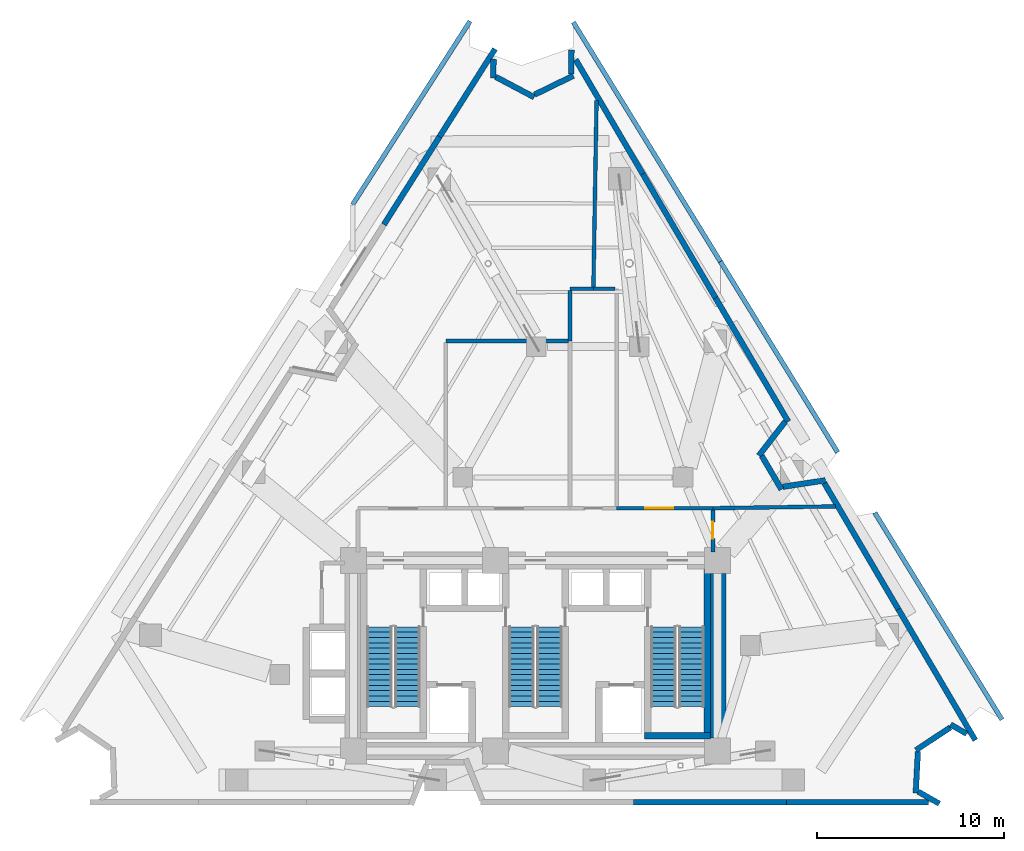
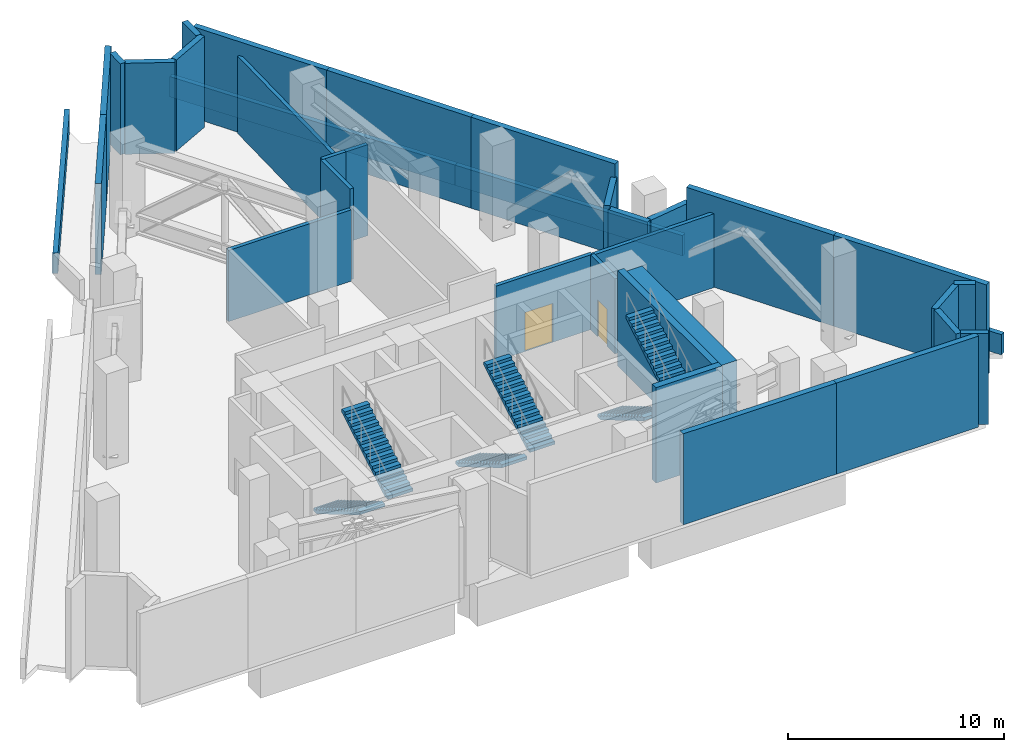
# One storey, part 8 of 9: 35 walls, 6 stair flights, 2 doors, 2 openings, 3 elements without a shape of their own.
"""IFC4 building model written with IfcOpenShell, lengths in metres."""

from ifc_helpers import new_model, si_unit, direction, frame, frame_2d, origin, place, context, subcontext, project, spatial, polyline, rectangle, outline, extrude, material, layer, layer_set, type_object, element, fill, aggregate, save


model = new_model("IFC4")

# Units and contexts
model_context = context("Model", 3, precision=1e-05, world=origin(), true_north=direction((0.0, 1.0)))
body_context = subcontext(model_context, "Body", "Model", "MODEL_VIEW")
ifc_project = project(units=[si_unit("LENGTHUNIT", "METRE"), si_unit("AREAUNIT", "SQUARE_METRE"), si_unit("VOLUMEUNIT", "CUBIC_METRE"), si_unit("PLANEANGLEUNIT", "RADIAN"), si_unit("MASSUNIT", "GRAM", prefix="KILO")], contexts=[model_context])

# Site, building, storey
site_placement = place(None, origin())
site = spatial("IfcSite", under=ifc_project, at=site_placement, CompositionType="ELEMENT")
building_placement = place(site_placement, origin())
building = spatial("IfcBuilding", under=site, at=building_placement, Name="Almagre Mirador Tower", CompositionType="ELEMENT")
storey_placement = place(building_placement, frame((0.0, 0.0, 105.0)))
storey = spatial("IfcBuildingStorey", under=building, at=storey_placement, Name="L26", CompositionType="ELEMENT", Elevation=105.0)

# Walls
ifc_material_1 = material(Name="Precast concrete C50/60", Category="concrete")
ifc_layer_1 = layer(ifc_material_1, 0.300048828125)
ifc_layer_set_1 = layer_set([ifc_layer_1], Name="Precast concrete C50/60")
wall_type_1 = type_object("IfcWallType", Name="WAL-EXT-300", PredefinedType="SOLIDWALL", material=ifc_layer_set_1)
for number, where, z_axis, x_axis, name in (
    (1, (29.183349609375, 32.73583984375, 0.0), (0.0, 0.0, 1.0), (0.53491219433, 0.844907654337, 0.0), "L26 expressed almagre precast frame wall 06"),
    (2, (32.15966796875, 37.43701171875, 0.0), (0.0, 0.0, 1.0), (0.53491219433, 0.844907654337, 0.0), "L26 expressed almagre precast frame wall 07"),
):
    element("IfcWall", number, at=place(storey_placement, frame(where, z_axis=z_axis, x_axis=x_axis)), inside=storey, type_object=wall_type_1, Name=name, PredefinedType="SOLIDWALL", context=body_context, shape_type="SweptSolid", body=[
        extrude(rectangle(XDim=5.564208984375, YDim=0.300048828125, at=frame_2d((2.7822265625, 0.0))), origin(), (0.0, 0.0, 1.0), 5.14990234375),
    ])
wall_1_placement = place(storey_placement, frame((35.0537109375, 41.590087890625, 0.0), z_axis=(0.0, 0.0, 1.0), x_axis=(-0.01683263167, -0.999858321219, 0.0)))
element("IfcWall", 3, at=wall_1_placement, inside=storey, type_object=wall_type_1, Name="L26 expressed almagre precast frame wall 08", PredefinedType="SOLIDWALL", context=body_context, shape_type="SweptSolid", body=[
    extrude(rectangle(XDim=1.015380859375, YDim=0.300048828125, at=frame_2d((0.5078125, 0.0))), origin(), (0.0, 0.0, 1.0), 5.14990234375),
])
wall_2_placement = place(storey_placement, frame((35.16259765625, 40.6494140625, 0.0), z_axis=(0.0, 0.0, 1.0), x_axis=(0.883579385988, -0.468281399008, 0.0)))
element("IfcWall", 4, at=wall_2_placement, inside=storey, type_object=wall_type_1, Name="L26 expressed almagre precast frame wall 09", PredefinedType="SOLIDWALL", context=body_context, shape_type="SweptSolid", body=[
    extrude(rectangle(XDim=2.336181640625, YDim=0.300048828125, at=frame_2d((1.16796875, 0.0))), origin(), (0.0, 0.0, 1.0), 5.14990234375),
])
wall_3_placement = place(storey_placement, frame((37.246826171875, 39.691162109375, 0.0), z_axis=(0.0, 0.0, 1.0), x_axis=(0.898724909847, 0.438512869162, 0.0)))
element("IfcWall", 5, at=wall_3_placement, inside=storey, type_object=wall_type_1, Name="L26 expressed almagre precast frame wall 10", PredefinedType="SOLIDWALL", context=body_context, shape_type="SweptSolid", body=[
    extrude(rectangle(XDim=2.317626953125, YDim=0.300048828125, at=frame_2d((1.15869140625, 0.0))), origin(), (0.0, 0.0, 1.0), 5.14990234375),
])
wall_4_placement = place(storey_placement, frame((39.206298828125, 40.7958984375, 0.0), z_axis=(0.0, 0.0, 1.0), x_axis=(0.016208991858, 0.999868625662, 0.0)))
element("IfcWall", 6, at=wall_4_placement, inside=storey, type_object=wall_type_1, Name="L26 expressed almagre precast frame wall 11", PredefinedType="SOLIDWALL", context=body_context, shape_type="SweptSolid", body=[
    extrude(rectangle(XDim=1.29541015625, YDim=0.300048828125, at=frame_2d((0.647705078125, 0.0))), origin(), (0.0, 0.0, 1.0), 5.14990234375),
])
wall_5_placement = place(storey_placement, frame((39.44775390625, 41.571533203125, 0.0), z_axis=(0.0, 0.0, 1.0), x_axis=(0.506346053327, -0.862330374207, 0.0)))
element("IfcWall", 7, at=wall_5_placement, inside=storey, type_object=wall_type_1, Name="L26 expressed almagre precast frame wall 12", PredefinedType="SOLIDWALL", context=body_context, shape_type="SweptSolid", body=[
    extrude(rectangle(XDim=7.1083984375, YDim=0.300048828125, at=frame_2d((3.55419921875, 0.0))), origin(), (0.0, 0.0, 1.0), 5.14990234375),
])
wall_6_placement = place(storey_placement, frame((43.047119140625, 35.441650390625, 0.0), z_axis=(0.0, 0.0, 1.0), x_axis=(0.506305300475, -0.862354302309, 0.0)))
element("IfcWall", 8, at=wall_6_placement, inside=storey, type_object=wall_type_1, Name="L26 expressed almagre precast frame wall 13", PredefinedType="SOLIDWALL", context=body_context, shape_type="SweptSolid", body=[
    extrude(rectangle(XDim=7.688720703125, YDim=0.300048828125, at=frame_2d((3.84423828125, 0.0))), origin(), (0.0, 0.0, 1.0), 5.14990234375),
])
wall_7_placement = place(storey_placement, frame((46.93994140625, 28.811279296875, 0.0), z_axis=(0.0, 0.0, 1.0), x_axis=(0.50635664286, -0.862324156122, 0.0)))
element("IfcWall", 9, at=wall_7_placement, inside=storey, type_object=wall_type_1, Name="L26 expressed almagre precast frame wall 14", PredefinedType="SOLIDWALL", context=body_context, shape_type="SweptSolid", body=[
    extrude(rectangle(XDim=7.6884765625, YDim=0.300048828125, at=frame_2d((3.84423828125, 0.0))), origin(), (0.0, 0.0, 1.0), 5.14990234375),
])
wall_8_placement = place(storey_placement, frame((50.67919921875, 22.195556640625, 0.0), z_axis=(0.0, 0.0, 1.0), x_axis=(-0.61418839008, -0.789159439842, 0.0)))
element("IfcWall", 10, at=wall_8_placement, inside=storey, type_object=wall_type_1, Name="L26 expressed almagre precast frame wall 15", PredefinedType="SOLIDWALL", context=body_context, shape_type="SweptSolid", body=[
    extrude(rectangle(XDim=2.319091796875, YDim=0.300048828125, at=frame_2d((1.15966796875, 0.0))), origin(), (0.0, 0.0, 1.0), 4.375),
])
wall_9_placement = place(storey_placement, frame((49.4091796875, 20.359619140625, 0.0), z_axis=(0.0, 0.0, 1.0), x_axis=(0.506383340868, -0.862308478499, 0.0)))
element("IfcWall", 11, at=wall_9_placement, inside=storey, type_object=wall_type_1, Name="L26 expressed almagre precast frame wall 16", PredefinedType="SOLIDWALL", context=body_context, shape_type="SweptSolid", body=[
    extrude(rectangle(XDim=2.0947265625, YDim=0.300048828125, at=frame_2d((1.04736328125, 0.0))), origin(), (0.0, 0.0, 1.0), 4.177001953125),
])
wall_10_placement = place(storey_placement, frame((50.537353515625, 18.6953125, 0.0), z_axis=(0.0, 0.0, 1.0), x_axis=(0.98843869016, 0.151621092844, 0.0)))
element("IfcWall", 12, at=wall_10_placement, inside=storey, type_object=wall_type_1, Name="L26 expressed almagre precast frame wall 17", PredefinedType="SOLIDWALL", context=body_context, shape_type="SweptSolid", body=[
    extrude(rectangle(XDim=2.31396484375, YDim=0.300048828125, at=frame_2d((1.156982421875, 0.0))), origin(), (0.0, 0.0, 1.0), 4.177001953125),
])
wall_11_placement = place(storey_placement, frame((52.7568359375, 18.904296875, 0.0), z_axis=(0.0, 0.0, 1.0), x_axis=(0.506342912386, -0.862332218508, 0.0)))
element("IfcWall", 13, at=wall_11_placement, inside=storey, type_object=wall_type_1, Name="L26 expressed almagre precast frame wall 18", PredefinedType="SOLIDWALL", context=body_context, shape_type="SweptSolid", body=[
    extrude(rectangle(XDim=7.84765625, YDim=0.300048828125, at=frame_2d((3.923828125, 0.0))), origin(), (0.0, 0.0, 1.0), 5.14990234375),
])
wall_12_placement = place(storey_placement, frame((56.73046875, 12.136962890625, 0.0), z_axis=(0.0, 0.0, 1.0), x_axis=(0.506362293691, -0.86232083793, 0.0)))
element("IfcWall", 14, at=wall_12_placement, inside=storey, type_object=wall_type_1, Name="L26 expressed almagre precast frame wall 19", PredefinedType="SOLIDWALL", context=body_context, shape_type="SweptSolid", body=[
    extrude(rectangle(XDim=8.12744140625, YDim=0.300048828125, at=frame_2d((4.063720703125, 0.0))), origin(), (0.0, 0.0, 1.0), 5.14990234375),
])
wall_13_placement = place(storey_placement, frame((60.384521484375, 5.47265625, 0.0), z_axis=(0.0, 0.0, 1.0), x_axis=(-0.867744770586, 0.497010073461, 0.0)))
element("IfcWall", 15, at=wall_13_placement, inside=storey, type_object=wall_type_1, Name="L26 expressed almagre precast frame wall 20", PredefinedType="SOLIDWALL", context=body_context, shape_type="SweptSolid", body=[
    extrude(rectangle(XDim=0.99560546875, YDim=0.300048828125, at=frame_2d((0.497802734375, 0.0))), origin(), (0.0, 0.0, 1.0), 5.14990234375),
])
wall_14_placement = place(storey_placement, frame((59.516845703125, 5.8154296875, 0.0), z_axis=(0.0, 0.0, 1.0), x_axis=(-0.834701570444, -0.550702540669, 0.0)))
element("IfcWall", 16, at=wall_14_placement, inside=storey, type_object=wall_type_1, Name="L26 expressed almagre precast frame wall 21", PredefinedType="SOLIDWALL", context=body_context, shape_type="SweptSolid", body=[
    extrude(rectangle(XDim=2.216064453125, YDim=0.300048828125, at=frame_2d((1.10791015625, 0.0))), origin(), (0.0, 0.0, 1.0), 5.14990234375),
])
wall_15_placement = place(storey_placement, frame((57.776123046875, 4.522216796875, 0.0), z_axis=(0.0, 0.0, 1.0), x_axis=(-0.052524156453, -0.998619653817, 0.0)))
element("IfcWall", 17, at=wall_15_placement, inside=storey, type_object=wall_type_1, Name="L26 expressed almagre precast frame wall 22", PredefinedType="SOLIDWALL", context=body_context, shape_type="SweptSolid", body=[
    extrude(rectangle(XDim=2.21728515625, YDim=0.300048828125, at=frame_2d((1.108642578125, 0.0))), origin(), (0.0, 0.0, 1.0), 5.14990234375),
])
wall_16_placement = place(storey_placement, frame((57.78857421875, 2.37841796875, 0.0), z_axis=(0.0, 0.0, 1.0), x_axis=(0.868035842981, -0.49650153605, 0.0)))
element("IfcWall", 18, at=wall_16_placement, inside=storey, type_object=wall_type_1, Name="L26 expressed almagre precast frame wall 23", PredefinedType="SOLIDWALL", context=body_context, shape_type="SweptSolid", body=[
    extrude(rectangle(XDim=1.304931640625, YDim=0.300048828125, at=frame_2d((0.65234375, 0.0))), origin(), (0.0, 0.0, 1.0), 5.14990234375),
])
wall_17_placement = place(storey_placement, frame((58.344970703125, 1.800048828125, 0.0), z_axis=(0.0, 0.0, 1.0), x_axis=(-1.0, 0.0, 0.0)))
element("IfcWall", 19, at=wall_17_placement, inside=storey, type_object=wall_type_1, Name="L26 expressed almagre precast frame wall 24", PredefinedType="SOLIDWALL", context=body_context, shape_type="SweptSolid", body=[
    extrude(rectangle(XDim=7.603759765625, YDim=0.300048828125, at=frame_2d((3.8017578125, 0.0))), origin(), (0.0, 0.0, 1.0), 5.14990234375),
])
wall_18_placement = place(storey_placement, frame((50.7412109375, 1.800048828125, 0.0), z_axis=(0.0, 0.0, 1.0), x_axis=(-1.0, 0.0, 0.0)))
element("IfcWall", 20, at=wall_18_placement, inside=storey, type_object=wall_type_1, Name="L26 expressed almagre precast frame wall 25", PredefinedType="SOLIDWALL", context=body_context, shape_type="SweptSolid", body=[
    extrude(rectangle(XDim=8.198486328125, YDim=0.300048828125, at=frame_2d((4.09912109375, 0.0))), origin(), (0.0, 0.0, 1.0), 5.14990234375),
])
ifc_material_2 = material(Name="Precast concrete C50/60", Category="concrete")
ifc_layer_2 = layer(ifc_material_2, 0.25)
ifc_layer_set_2 = layer_set([ifc_layer_2], Name="Precast concrete C50/60")
wall_type_2 = type_object("IfcWallType", Name="WAL-PAR-250", PredefinedType="PARAPET", material=ifc_layer_set_2)
wall_19_placement = place(storey_placement, frame((27.5, 33.79736328125, 0.0), z_axis=(0.0, 0.0, 1.0), x_axis=(0.539485865743, 0.841994655959, 0.0)))
element("IfcWall", 21, at=wall_19_placement, inside=storey, type_object=wall_type_2, Name="L26 terrace precast parapet 2.6", PredefinedType="PARAPET", context=body_context, shape_type="SweptSolid", body=[
    extrude(rectangle(XDim=11.66845703125, YDim=0.25, at=frame_2d((5.834228515625, 0.0))), origin(), (0.0, 0.0, 1.0), 1.14990234375),
])
wall_20_placement = place(storey_placement, frame((39.322998046875, 43.570068359375, 0.0), z_axis=(0.0, 0.0, 1.0), x_axis=(0.523691649494, -0.851907891882, 0.0)))
element("IfcWall", 22, at=wall_20_placement, inside=storey, type_object=wall_type_2, Name="L26 terrace precast parapet 3.2", PredefinedType="PARAPET", context=body_context, shape_type="SweptSolid", body=[
    extrude(rectangle(XDim=15.041259765625, YDim=0.25, at=frame_2d((7.5205078125, 0.0))), origin(), (0.0, 0.0, 1.0), 1.14990234375),
])
wall_21_placement = place(storey_placement, frame((47.199951171875, 30.75634765625, 0.0), z_axis=(0.0, 0.0, 1.0), x_axis=(0.523705351239, -0.851899468883, 0.0)))
element("IfcWall", 23, at=wall_21_placement, inside=storey, type_object=wall_type_2, Name="L26 terrace precast parapet 4.19", PredefinedType="PARAPET", context=body_context, shape_type="SweptSolid", body=[
    extrude(rectangle(XDim=11.98779296875, YDim=0.25, at=frame_2d((5.993896484375, 0.0))), origin(), (0.0, 0.0, 1.0), 1.14990234375),
])
wall_22_placement = place(storey_placement, frame((55.468017578125, 17.306884765625, 0.0), z_axis=(0.0, 0.0, 1.0), x_axis=(0.52368040869, -0.851914801817, 0.0)))
element("IfcWall", 24, at=wall_22_placement, inside=storey, type_object=wall_type_2, Name="L26 terrace precast parapet 5.5", PredefinedType="PARAPET", context=body_context, shape_type="SweptSolid", body=[
    extrude(rectangle(XDim=13.00244140625, YDim=0.25, at=frame_2d((6.501220703125, 0.0))), origin(), (0.0, 0.0, 1.0), 1.14990234375),
])
ifc_material_3 = material(Name="Gypsum acoustic stud partition", Category="other")
ifc_layer_3 = layer(ifc_material_3, 0.199951171875)
ifc_layer_set_3 = layer_set([ifc_layer_3], Name="Gypsum acoustic stud partition")
wall_type_3 = type_object("IfcWallType", Name="WAL-PRT-200-EI60", PredefinedType="PARTITIONING", material=ifc_layer_set_3)
wall_23_placement = place(storey_placement, frame((41.56494140625, 29.300048828125, 0.0), z_axis=(0.0, 0.0, 1.0), x_axis=(-1.0, 0.0, 0.0)))
element("IfcWall", 25, at=wall_23_placement, inside=storey, type_object=wall_type_3, Name="L26 interior partition 005", PredefinedType="PARTITIONING", context=body_context, shape_type="SweptSolid", body=[
    extrude(rectangle(XDim=1.1650390625, YDim=0.199951171875, at=frame_2d((0.58251953125, 0.0))), origin(), (0.0, 0.0, 1.0), 5.14990234375),
])
wall_24_placement = place(storey_placement, frame((40.39990234375, 29.300048828125, 0.0), z_axis=(0.0, 0.0, 1.0), x_axis=(-1.0, 0.0, 0.0)))
element("IfcWall", 26, at=wall_24_placement, inside=storey, type_object=wall_type_3, Name="L26 interior partition 006", PredefinedType="PARTITIONING", context=body_context, shape_type="SweptSolid", body=[
    extrude(rectangle(XDim=1.25, YDim=0.199951171875, at=frame_2d((0.625, 0.0))), origin(), (0.0, 0.0, 1.0), 5.14990234375),
])
wall_25_placement = place(storey_placement, frame((39.14990234375, 29.215087890625, 0.0), z_axis=(0.0, 0.0, 1.0), x_axis=(0.0, -1.0, 0.0)))
element("IfcWall", 27, at=wall_25_placement, inside=storey, type_object=wall_type_3, Name="L26 interior partition 007", PredefinedType="PARTITIONING", context=body_context, shape_type="SweptSolid", body=[
    extrude(rectangle(XDim=2.715087890625, YDim=0.199951171875, at=frame_2d((1.357421875, 0.0))), origin(), (0.0, 0.0, 1.0), 5.14990234375),
])

# Wall, opening, door
wall_26_placement = place(storey_placement, frame((46.800048828125, 17.550048828125, 0.0), z_axis=(0.0, 0.0, 1.0), x_axis=(-1.0, 0.0, 0.0)))
wall_26 = element("IfcWall", 28, at=wall_26_placement, inside=storey, type_object=wall_type_3, Name="L26 interior partition 009", PredefinedType="PARTITIONING", context=body_context, shape_type="SweptSolid", body=[
    extrude(rectangle(XDim=5.150146484375, YDim=0.199951171875, at=frame_2d((2.5751953125, 0.0))), origin(), (0.0, 0.0, 1.0), 4.236083984375),
])
opening_1_placement = place(wall_26_placement, frame((2.115478515625, 0.0, 0.0)))
opening_1 = element("IfcOpeningElement", 29, at=opening_1_placement, cuts=wall_26, Name="Opening ID-04", PredefinedType="OPENING", context=body_context, shape_type="SweptSolid", body=[
    extrude(rectangle(XDim=1.5, YDim=2.199951171875, at=frame_2d((0.75, 1.10009765625))), frame((0.0, 0.110098, 0.0), z_axis=(0.0, -1.0, 0.0), x_axis=(1.0, 0.0, 0.0)), (0.0, 0.0, 1.0), 0.219951),
])
ifc_material_4 = material(Name="Fire-rated hollow steel", Category="steel")
door_type_1 = type_object("IfcDoorType", Name="DOR-FD60-1500X2200", OperationType="DOUBLE_DOOR_SINGLE_SWING", PredefinedType="DOOR", material=ifc_material_4)
door_1_placement = place(opening_1_placement, origin())
door_1 = element("IfcDoor", 30, at=door_1_placement, inside=storey, type_object=door_type_1, Name="DR-0874 L26 interior door L26-PCOR to L26-PLT-4", OperationType="DOUBLE_DOOR_SINGLE_SWING", OverallHeight=2.199951171875, OverallWidth=1.5, PredefinedType="DOOR", context=body_context, shape_type="SweptSolid", body=[
    extrude(rectangle(XDim=1.5, YDim=2.199951171875, at=frame_2d((0.75, 1.10009765625))), frame((0.0, 0.02490234375, 0.0), z_axis=(0.0, -1.0, 0.0), x_axis=(1.0, 0.0, 0.0)), (0.0, 0.0, 1.0), 0.050048828125),
])
fill(opening_1, door_1)

wall_27_placement = place(storey_placement, frame((46.800048828125, 15.199951171875, 0.0), z_axis=(0.0, 0.0, 1.0), x_axis=(0.0, 1.0, 0.0)))
wall_27 = element("IfcWall", 31, at=wall_27_placement, inside=storey, type_object=wall_type_3, Name="L26 interior partition 010", PredefinedType="PARTITIONING", context=body_context, shape_type="SweptSolid", body=[
    extrude(rectangle(XDim=2.26513671875, YDim=0.199951171875, at=frame_2d((1.132568359375, 0.0))), origin(), (0.0, 0.0, 1.0), 4.236083984375),
])
opening_2_placement = place(wall_27_placement, frame((0.72509765625, 0.0, 0.0)))
opening_2 = element("IfcOpeningElement", 32, at=opening_2_placement, cuts=wall_27, Name="Opening ID-03", PredefinedType="OPENING", context=body_context, shape_type="SweptSolid", body=[
    extrude(rectangle(XDim=0.89990234375, YDim=2.10009765625, at=frame_2d((0.449951171875, 1.050048828125))), frame((0.0, 0.110098, 0.0), z_axis=(0.0, -1.0, 0.0), x_axis=(1.0, 0.0, 0.0)), (0.0, 0.0, 1.0), 0.219951),
])
ifc_material_5 = material(Name="Fire-rated hollow steel", Category="steel")
door_type_2 = type_object("IfcDoorType", Name="DOR-FD60-900X2100", OperationType="NOTDEFINED", PredefinedType="DOOR", material=ifc_material_5)
door_2_placement = place(opening_2_placement, origin())
door_2 = element("IfcDoor", 33, at=door_2_placement, inside=storey, type_object=door_type_2, Name="DR-0876 L26 interior door L26-PCOR to L26-REF-E", OperationType="SINGLE_SWING_LEFT", OverallHeight=2.10009765625, OverallWidth=0.89990234375, PredefinedType="DOOR", context=body_context, shape_type="SweptSolid", body=[
    extrude(rectangle(XDim=0.89990234375, YDim=2.10009765625, at=frame_2d((0.449951171875, 1.050048828125))), frame((0.0, 0.02490234375, 0.0), z_axis=(0.0, -1.0, 0.0), x_axis=(1.0, 0.0, 0.0)), (0.0, 0.0, 1.0), 0.050048828125),
])
fill(opening_2, door_2)

# Walls
wall_28_placement = place(storey_placement, frame((39.06494140625, 26.5, 0.0), z_axis=(0.0, 0.0, 1.0), x_axis=(-1.0, 0.0, 0.0)))
element("IfcWall", 34, at=wall_28_placement, inside=storey, type_object=wall_type_3, Name="L26 interior partition 013", PredefinedType="PARTITIONING", context=body_context, shape_type="SweptSolid", body=[
    extrude(rectangle(XDim=6.56494140625, YDim=0.199951171875, at=frame_2d((3.282470703125, 0.0))), origin(), (0.0, 0.0, 1.0), 4.032958984375),
])
wall_29_placement = place(storey_placement, frame((46.800048828125, 17.550048828125, 0.0), z_axis=(0.0, 0.0, 1.0), x_axis=(0.999890796761, 0.014778178263, 0.0)))
element("IfcWall", 35, at=wall_29_placement, inside=storey, type_object=wall_type_3, Name="L26 interior partition 015", PredefinedType="PARTITIONING", context=body_context, shape_type="SweptSolid", body=[
    extrude(rectangle(XDim=6.55859375, YDim=0.199951171875, at=frame_2d((3.279296875, 0.0))), origin(), (0.0, 0.0, 1.0), 4.172119140625),
])
wall_30_placement = place(storey_placement, frame((40.569091796875, 39.3759765625, 0.0), z_axis=(0.0, 0.0, 1.0), x_axis=(-0.016834112019, -0.999858296296, 0.0)))
element("IfcWall", 36, at=wall_30_placement, inside=storey, type_object=wall_type_3, Name="L26 interior partition 016", PredefinedType="PARTITIONING", context=body_context, shape_type="SweptSolid", body=[
    extrude(rectangle(XDim=9.992431640625, YDim=0.199951171875, at=frame_2d((4.99609375, 0.0))), origin(), (0.0, 0.0, 1.0), 4.3701171875),
])
ifc_material_6 = material(Name="Concrete C60/75", Category="concrete")
ifc_layer_4 = layer(ifc_material_6, 0.35009765625)
ifc_layer_set_4 = layer_set([ifc_layer_4], Name="Concrete C60/75")
wall_type_4 = type_object("IfcWallType", Name="WAL-SHF-350", PredefinedType="SOLIDWALL", material=ifc_layer_set_4)
wall_31_placement = place(storey_placement, frame((46.5, 5.199951171875, 0.0), z_axis=(0.0, 0.0, 1.0), x_axis=(0.0, 1.0, 0.0)))
element("IfcWall", 37, at=wall_31_placement, inside=storey, type_object=wall_type_4, Name="L26 shaft wall ST3-E", PredefinedType="SOLIDWALL", context=body_context, shape_type="SweptSolid", body=[
    extrude(rectangle(XDim=9.10009765625, YDim=0.35009765625, at=frame_2d((4.550048828125, 0.0))), origin(), (0.0, 0.0, 1.0), 5.39990234375),
])
wall_32_placement = place(storey_placement, frame((43.125, 5.375, 0.0), z_axis=(0.0, 0.0, 1.0), x_axis=(1.0, 0.0, 0.0)))
element("IfcWall", 38, at=wall_32_placement, inside=storey, type_object=wall_type_4, Name="L26 shaft wall ST3-S", PredefinedType="SOLIDWALL", context=body_context, shape_type="SweptSolid", body=[
    extrude(rectangle(XDim=3.550048828125, YDim=0.35009765625, at=frame_2d((1.77490234375, 0.0))), origin(), (0.0, 0.0, 1.0), 5.39990234375),
])
ifc_material_7 = material(Name="Concrete C70/85", Category="concrete")
ifc_layer_5 = layer(ifc_material_7, 0.89990234375)
ifc_layer_set_5 = layer_set([ifc_layer_5], Name="Concrete C70/85")
wall_type_5 = type_object("IfcWallType", Name="WAL-SHR-900", PredefinedType="SHEAR", material=ifc_layer_set_5)
wall_33_placement = place(storey_placement, frame((47.050048828125, 5.25, 0.0), z_axis=(0.0, 0.0, 1.0), x_axis=(0.0, 1.0, 0.0)))
element("IfcWall", 39, at=wall_33_placement, inside=storey, type_object=wall_type_5, Name="L26 core shear wall E1", PredefinedType="SHEAR", context=body_context, shape_type="SweptSolid", body=[
    extrude(rectangle(XDim=8.800048828125, YDim=0.89990234375, at=frame_2d((4.39990234375, 0.0))), origin(), (0.0, 0.0, 1.0), 5.39990234375),
])

# Stair, stair flights
ifc_material_8 = material(Name="Concrete C45/55", Category="concrete")
stair_type = type_object("IfcStairType", Name="STR-DL-5400", PredefinedType="HALF_TURN_STAIR", material=ifc_material_8)
stair_1_placement = place(storey_placement, origin())
stair_1 = element("IfcStair", 40, at=stair_1_placement, inside=storey, type_object=stair_type, Name="L26 Protected exit stair ST-1", PredefinedType="HALF_TURN_STAIR")
ifc_material_9 = material(Name="Concrete C45/55", Category="concrete")
stair_flight_type = type_object("IfcStairFlightType", Name="FLT-DL-5400", PredefinedType="STRAIGHT", material=ifc_material_9)
stair_flight_1_placement = place(storey_placement, frame((28.949951171875, 11.199951171875, 0.0), z_axis=(0.0, 0.0, 1.0), x_axis=(0.0, -1.0, 0.0)))
stair_flight_1 = element("IfcStairFlight", 41, at=stair_flight_1_placement, type_object=stair_flight_type, Name="ST-1 flight 1", NumberOfRisers=16, NumberOfTreads=15, PredefinedType="STRAIGHT", RiserHeight=0.16875, TreadLength=0.285, context=body_context, shape_type="SweptSolid", body=[
    extrude(outline(polyline([(0.0, 0.0), (0.0, 0.168701171875), (0.284912109375, 0.168701171875), (0.284912109375, 0.33740234375), (0.570068359375, 0.33740234375), (0.570068359375, 0.50634765625), (0.85498046875, 0.50634765625), (0.85498046875, 0.675048828125), (1.139892578125, 0.675048828125), (1.139892578125, 0.84375), (1.425048828125, 0.84375), (1.425048828125, 1.012451171875), (1.7099609375, 1.012451171875), (1.7099609375, 1.18115234375), (1.9951171875, 1.18115234375), (1.9951171875, 1.35009765625), (2.280029296875, 1.35009765625), (2.280029296875, 1.518798828125), (2.56494140625, 1.518798828125), (2.56494140625, 1.6875), (2.85009765625, 1.6875), (2.85009765625, 1.856201171875), (3.135009765625, 1.856201171875), (3.135009765625, 2.02490234375), (3.419921875, 2.02490234375), (3.419921875, 2.19384765625), (3.705078125, 2.19384765625), (3.705078125, 2.362548828125), (3.989990234375, 2.362548828125), (3.989990234375, 2.53125), (4.27490234375, 2.53125), (4.27490234375, 2.699951171875), (4.27490234375, 2.35693359375), (0.294189453125, 0.0), (0.0, 0.0)])), frame((0.0, 0.675048828125, 0.0), z_axis=(0.0, -1.0, 0.0), x_axis=(1.0, 0.0, 0.0)), (0.0, 0.0, 1.0), 1.35009765625),
])
stair_flight_2_placement = place(storey_placement, frame((30.449951171875, 6.925048828125, 2.699951171875), z_axis=(0.0, 0.0, 1.0), x_axis=(0.0, 1.0, 0.0)))
stair_flight_2 = element("IfcStairFlight", 42, at=stair_flight_2_placement, type_object=stair_flight_type, Name="ST-1 flight 2", NumberOfRisers=16, NumberOfTreads=15, PredefinedType="STRAIGHT", RiserHeight=0.16875, TreadLength=0.285, context=body_context, shape_type="SweptSolid", body=[
    extrude(outline(polyline([(0.0, 0.0), (0.0, 0.168701171875), (0.284912109375, 0.168701171875), (0.284912109375, 0.33740234375), (0.570068359375, 0.33740234375), (0.570068359375, 0.50634765625), (0.85498046875, 0.50634765625), (0.85498046875, 0.675048828125), (1.139892578125, 0.675048828125), (1.139892578125, 0.84375), (1.425048828125, 0.84375), (1.425048828125, 1.012451171875), (1.7099609375, 1.012451171875), (1.7099609375, 1.18115234375), (1.9951171875, 1.18115234375), (1.9951171875, 1.35009765625), (2.280029296875, 1.35009765625), (2.280029296875, 1.518798828125), (2.56494140625, 1.518798828125), (2.56494140625, 1.6875), (2.85009765625, 1.6875), (2.85009765625, 1.856201171875), (3.135009765625, 1.856201171875), (3.135009765625, 2.02490234375), (3.419921875, 2.02490234375), (3.419921875, 2.19384765625), (3.705078125, 2.19384765625), (3.705078125, 2.362548828125), (3.989990234375, 2.362548828125), (3.989990234375, 2.53125), (4.27490234375, 2.53125), (4.27490234375, 2.699951171875), (4.27490234375, 2.35693359375), (0.294189453125, 0.0), (0.0, 0.0)])), frame((0.0, 0.675048828125, 0.0), z_axis=(0.0, -1.0, 0.0), x_axis=(1.0, 0.0, 0.0)), (0.0, 0.0, 1.0), 1.35009765625),
])
aggregate(stair_1, [stair_flight_1, stair_flight_2])

stair_2_placement = place(storey_placement, origin())
stair_2 = element("IfcStair", 43, at=stair_2_placement, inside=storey, type_object=stair_type, Name="L26 Protected exit stair ST-2", PredefinedType="HALF_TURN_STAIR")
stair_flight_3_placement = place(storey_placement, frame((36.550048828125, 11.199951171875, 0.0), z_axis=(0.0, 0.0, 1.0), x_axis=(0.0, -1.0, 0.0)))
stair_flight_3 = element("IfcStairFlight", 44, at=stair_flight_3_placement, type_object=stair_flight_type, Name="ST-2 flight 1", NumberOfRisers=16, NumberOfTreads=15, PredefinedType="STRAIGHT", RiserHeight=0.16875, TreadLength=0.285, context=body_context, shape_type="SweptSolid", body=[
    extrude(outline(polyline([(0.0, 0.0), (0.0, 0.168701171875), (0.284912109375, 0.168701171875), (0.284912109375, 0.33740234375), (0.570068359375, 0.33740234375), (0.570068359375, 0.50634765625), (0.85498046875, 0.50634765625), (0.85498046875, 0.675048828125), (1.139892578125, 0.675048828125), (1.139892578125, 0.84375), (1.425048828125, 0.84375), (1.425048828125, 1.012451171875), (1.7099609375, 1.012451171875), (1.7099609375, 1.18115234375), (1.9951171875, 1.18115234375), (1.9951171875, 1.35009765625), (2.280029296875, 1.35009765625), (2.280029296875, 1.518798828125), (2.56494140625, 1.518798828125), (2.56494140625, 1.6875), (2.85009765625, 1.6875), (2.85009765625, 1.856201171875), (3.135009765625, 1.856201171875), (3.135009765625, 2.02490234375), (3.419921875, 2.02490234375), (3.419921875, 2.19384765625), (3.705078125, 2.19384765625), (3.705078125, 2.362548828125), (3.989990234375, 2.362548828125), (3.989990234375, 2.53125), (4.27490234375, 2.53125), (4.27490234375, 2.699951171875), (4.27490234375, 2.35693359375), (0.294189453125, 0.0), (0.0, 0.0)])), frame((0.0, 0.675048828125, 0.0), z_axis=(0.0, -1.0, 0.0), x_axis=(1.0, 0.0, 0.0)), (0.0, 0.0, 1.0), 1.35009765625),
])
stair_flight_4_placement = place(storey_placement, frame((38.050048828125, 6.925048828125, 2.699951171875), z_axis=(0.0, 0.0, 1.0), x_axis=(0.0, 1.0, 0.0)))
stair_flight_4 = element("IfcStairFlight", 45, at=stair_flight_4_placement, type_object=stair_flight_type, Name="ST-2 flight 2", NumberOfRisers=16, NumberOfTreads=15, PredefinedType="STRAIGHT", RiserHeight=0.16875, TreadLength=0.285, context=body_context, shape_type="SweptSolid", body=[
    extrude(outline(polyline([(0.0, 0.0), (0.0, 0.168701171875), (0.284912109375, 0.168701171875), (0.284912109375, 0.33740234375), (0.570068359375, 0.33740234375), (0.570068359375, 0.50634765625), (0.85498046875, 0.50634765625), (0.85498046875, 0.675048828125), (1.139892578125, 0.675048828125), (1.139892578125, 0.84375), (1.425048828125, 0.84375), (1.425048828125, 1.012451171875), (1.7099609375, 1.012451171875), (1.7099609375, 1.18115234375), (1.9951171875, 1.18115234375), (1.9951171875, 1.35009765625), (2.280029296875, 1.35009765625), (2.280029296875, 1.518798828125), (2.56494140625, 1.518798828125), (2.56494140625, 1.6875), (2.85009765625, 1.6875), (2.85009765625, 1.856201171875), (3.135009765625, 1.856201171875), (3.135009765625, 2.02490234375), (3.419921875, 2.02490234375), (3.419921875, 2.19384765625), (3.705078125, 2.19384765625), (3.705078125, 2.362548828125), (3.989990234375, 2.362548828125), (3.989990234375, 2.53125), (4.27490234375, 2.53125), (4.27490234375, 2.699951171875), (4.27490234375, 2.35693359375), (0.294189453125, 0.0), (0.0, 0.0)])), frame((0.0, 0.675048828125, 0.0), z_axis=(0.0, -1.0, 0.0), x_axis=(1.0, 0.0, 0.0)), (0.0, 0.0, 1.0), 1.35009765625),
])
aggregate(stair_2, [stair_flight_3, stair_flight_4])

stair_3_placement = place(storey_placement, origin())
stair_3 = element("IfcStair", 46, at=stair_3_placement, inside=storey, type_object=stair_type, Name="L26 Protected exit stair ST-3", PredefinedType="HALF_TURN_STAIR")
stair_flight_5_placement = place(storey_placement, frame((44.14990234375, 11.199951171875, 0.0), z_axis=(0.0, 0.0, 1.0), x_axis=(0.0, -1.0, 0.0)))
stair_flight_5 = element("IfcStairFlight", 47, at=stair_flight_5_placement, type_object=stair_flight_type, Name="ST-3 flight 1", NumberOfRisers=16, NumberOfTreads=15, PredefinedType="STRAIGHT", RiserHeight=0.16875, TreadLength=0.285, context=body_context, shape_type="SweptSolid", body=[
    extrude(outline(polyline([(0.0, 0.0), (0.0, 0.168701171875), (0.284912109375, 0.168701171875), (0.284912109375, 0.33740234375), (0.570068359375, 0.33740234375), (0.570068359375, 0.50634765625), (0.85498046875, 0.50634765625), (0.85498046875, 0.675048828125), (1.139892578125, 0.675048828125), (1.139892578125, 0.84375), (1.425048828125, 0.84375), (1.425048828125, 1.012451171875), (1.7099609375, 1.012451171875), (1.7099609375, 1.18115234375), (1.9951171875, 1.18115234375), (1.9951171875, 1.35009765625), (2.280029296875, 1.35009765625), (2.280029296875, 1.518798828125), (2.56494140625, 1.518798828125), (2.56494140625, 1.6875), (2.85009765625, 1.6875), (2.85009765625, 1.856201171875), (3.135009765625, 1.856201171875), (3.135009765625, 2.02490234375), (3.419921875, 2.02490234375), (3.419921875, 2.19384765625), (3.705078125, 2.19384765625), (3.705078125, 2.362548828125), (3.989990234375, 2.362548828125), (3.989990234375, 2.53125), (4.27490234375, 2.53125), (4.27490234375, 2.699951171875), (4.27490234375, 2.35693359375), (0.294189453125, 0.0), (0.0, 0.0)])), frame((0.0, 0.675048828125, 0.0), z_axis=(0.0, -1.0, 0.0), x_axis=(1.0, 0.0, 0.0)), (0.0, 0.0, 1.0), 1.35009765625),
])
stair_flight_6_placement = place(storey_placement, frame((45.64990234375, 6.925048828125, 2.699951171875), z_axis=(0.0, 0.0, 1.0), x_axis=(0.0, 1.0, 0.0)))
stair_flight_6 = element("IfcStairFlight", 48, at=stair_flight_6_placement, type_object=stair_flight_type, Name="ST-3 flight 2", NumberOfRisers=16, NumberOfTreads=15, PredefinedType="STRAIGHT", RiserHeight=0.16875, TreadLength=0.285, context=body_context, shape_type="SweptSolid", body=[
    extrude(outline(polyline([(0.0, 0.0), (0.0, 0.168701171875), (0.284912109375, 0.168701171875), (0.284912109375, 0.33740234375), (0.570068359375, 0.33740234375), (0.570068359375, 0.50634765625), (0.85498046875, 0.50634765625), (0.85498046875, 0.675048828125), (1.139892578125, 0.675048828125), (1.139892578125, 0.84375), (1.425048828125, 0.84375), (1.425048828125, 1.012451171875), (1.7099609375, 1.012451171875), (1.7099609375, 1.18115234375), (1.9951171875, 1.18115234375), (1.9951171875, 1.35009765625), (2.280029296875, 1.35009765625), (2.280029296875, 1.518798828125), (2.56494140625, 1.518798828125), (2.56494140625, 1.6875), (2.85009765625, 1.6875), (2.85009765625, 1.856201171875), (3.135009765625, 1.856201171875), (3.135009765625, 2.02490234375), (3.419921875, 2.02490234375), (3.419921875, 2.19384765625), (3.705078125, 2.19384765625), (3.705078125, 2.362548828125), (3.989990234375, 2.362548828125), (3.989990234375, 2.53125), (4.27490234375, 2.53125), (4.27490234375, 2.699951171875), (4.27490234375, 2.35693359375), (0.294189453125, 0.0), (0.0, 0.0)])), frame((0.0, 0.675048828125, 0.0), z_axis=(0.0, -1.0, 0.0), x_axis=(1.0, 0.0, 0.0)), (0.0, 0.0, 1.0), 1.35009765625),
])
aggregate(stair_3, [stair_flight_5, stair_flight_6])

save(model, "model.ifc")
